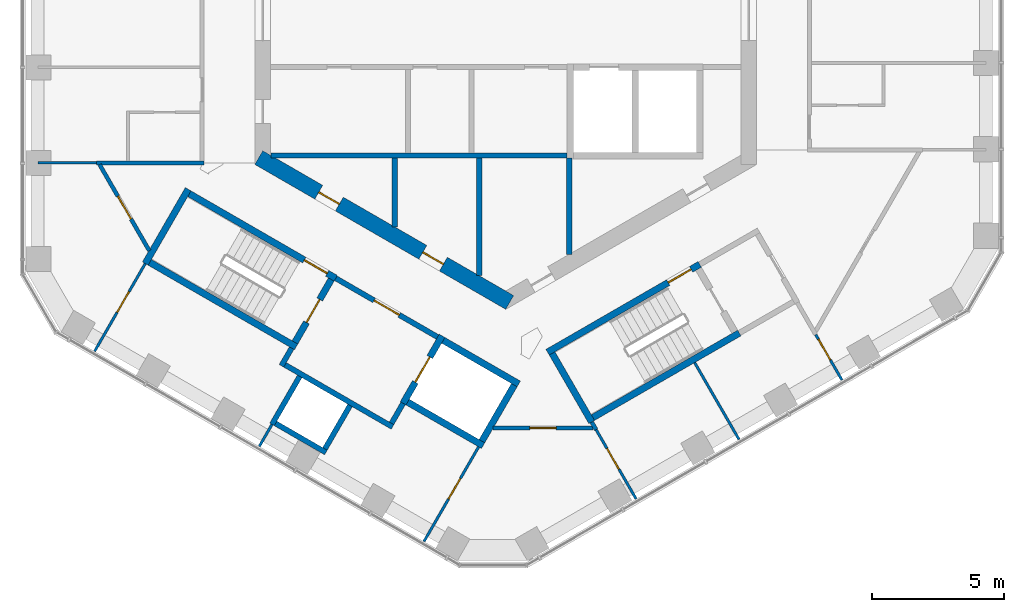
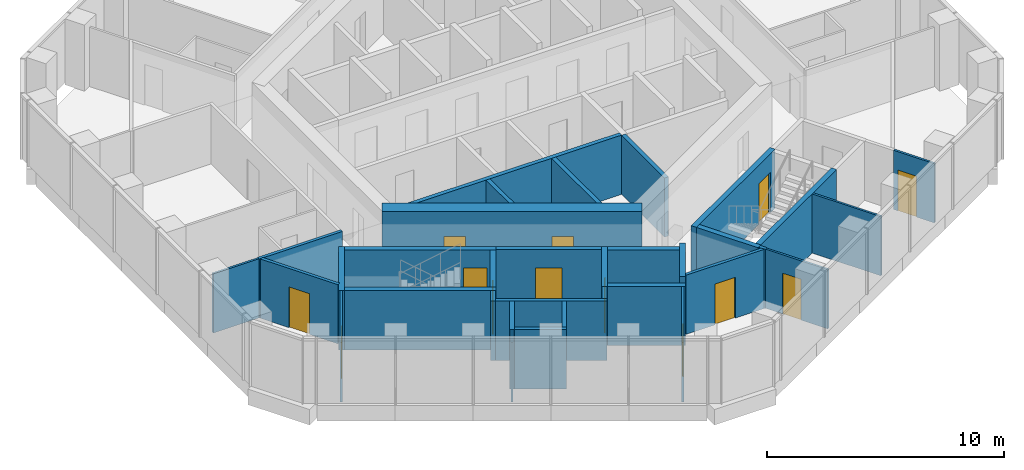
# One storey, part 13 of 18: 34 walls, 13 doors, 13 openings.
"""IFC4 building model written with IfcOpenShell, lengths in metres."""

import ifcopenshell
import ifcopenshell.guid

model = None  # the IFC model being written
_history = None  # IfcOwnerHistory: only IFC2X3 demands one
_inside = {}  # id of a spatial element -> (the spatial element, [elements in it])
_under = {}  # id of a project, library or spatial element -> (it, [spatial elements below it])
_declared = {}  # id of a project -> (the project, [libraries it declares])
_typed = {}  # id of a type object -> (the type object, [elements of that type])
_made_of = {}  # id of a material, layer set ... -> (it, [elements and type objects made of it])


def new_model(schema):
    """Start an empty IFC model of exactly this schema.

    Asked for "IFC4X3", IfcOpenShell would pick the latest addendum, in which some entities
    have other attributes; the version numbers below select the first issue.
    IFC2X3 requires an IfcOwnerHistory on every rooted entity: one is made here for all.
    """
    global model, _history
    if schema == "IFC4X3":
        model = ifcopenshell.file(schema_version=(4, 3, 0, 0))
    else:
        model = ifcopenshell.file(schema=schema)
    _inside.clear()
    _under.clear()
    _declared.clear()
    _typed.clear()
    _made_of.clear()
    _history = None
    if model.schema == "IFC2X3":
        org = make("IfcOrganization", Name="unknown")
        user = make(
            "IfcPersonAndOrganization",
            ThePerson=make("IfcPerson", FamilyName="unknown"),
            TheOrganization=org,
        )
        app = make(
            "IfcApplication",
            ApplicationDeveloper=org,
            Version="unknown",
            ApplicationFullName="unknown",
            ApplicationIdentifier="unknown",
        )
        _history = make(
            "IfcOwnerHistory",
            OwningUser=user,
            OwningApplication=app,
            ChangeAction="ADDED",
            CreationDate=0,
        )
    return model


def make(cls, **values):
    """One entity of the class cls with the attributes given. An attribute that is None is left unset."""
    return model.create_entity(
        cls, **{name: value for name, value in values.items() if value is not None}
    )


def rooted(cls, **values):
    """An entity with a GlobalId (a new one), such as an element, a storey or a relation."""
    return make(cls, GlobalId=ifcopenshell.guid.new(), OwnerHistory=_history, **values)


def si_unit(unit_type, name, prefix=None):
    """IfcSIUnit, for example si_unit("LENGTHUNIT", "METRE", prefix="MILLI")."""
    return make("IfcSIUnit", UnitType=unit_type, Prefix=prefix, Name=name)


def assignment(units):
    """IfcUnitAssignment: the units of a project."""
    return None if units is None else make("IfcUnitAssignment", Units=units)


def point(xyz):
    """IfcCartesianPoint."""
    return None if xyz is None else make("IfcCartesianPoint", Coordinates=xyz)


def direction(xyz):
    """IfcDirection."""
    return None if xyz is None else make("IfcDirection", DirectionRatios=xyz)


def frame(location, z_axis=None, x_axis=None):
    """IfcAxis2Placement3D, a coordinate frame: its origin and axes. An axis left out is left unset."""
    return make(
        "IfcAxis2Placement3D",
        Location=point(location),
        Axis=direction(z_axis),
        RefDirection=direction(x_axis),
    )


def frame_2d(location, x_axis=None):
    """IfcAxis2Placement2D, a coordinate frame in the plane: its origin and x axis."""
    return make(
        "IfcAxis2Placement2D", Location=point(location), RefDirection=direction(x_axis)
    )


def origin():
    """The frame at (0, 0, 0) with its axes left unset."""
    return frame((0.0, 0.0, 0.0))


def place(relative_to, where):
    """IfcLocalPlacement: puts the frame where relative to a parent placement (None: the world)."""
    return make(
        "IfcLocalPlacement", PlacementRelTo=relative_to, RelativePlacement=where
    )


def context(
    kind, dimensions, precision=None, world=None, true_north=None, identifier=None
):
    """IfcGeometricRepresentationContext, for example the 3D "Model" context."""
    return make(
        "IfcGeometricRepresentationContext",
        ContextIdentifier=identifier,
        ContextType=kind,
        CoordinateSpaceDimension=dimensions,
        Precision=precision,
        WorldCoordinateSystem=world,
        TrueNorth=true_north,
    )


def subcontext(parent, identifier, kind, view, scale=None):
    """IfcGeometricRepresentationSubContext, for example "Body" below "Model"."""
    return make(
        "IfcGeometricRepresentationSubContext",
        ContextIdentifier=identifier,
        ContextType=kind,
        ParentContext=parent,
        TargetScale=scale,
        TargetView=view,
    )


def project(units=None, contexts=None):
    """IfcProject with its units and contexts."""
    return rooted(
        "IfcProject",
        Name="project",
        RepresentationContexts=contexts,
        UnitsInContext=assignment(units),
    )


def spatial(cls, under=None, at=None, **own):
    """A site, building, storey or space (cls), placed at a placement, below another one or the project."""
    s = rooted(cls, ObjectPlacement=at, **own)
    if under is not None:
        _under.setdefault(under.id(), (under, []))[1].append(s)
    return s


def profile(cls, at=None, kind="AREA", **sizes):
    """A parametric profile (cls). Its sizes go by their IFC names, for example OverallWidth=200.0."""
    return make(cls, ProfileType=kind, Position=at, **sizes)


def rectangle(**sizes):
    """IfcRectangleProfileDef."""
    return profile("IfcRectangleProfileDef", **sizes)


def extrude(swept, where, along, depth):
    """IfcExtrudedAreaSolid: the profile swept, set in the frame where, extruded along a direction by depth."""
    return make(
        "IfcExtrudedAreaSolid",
        SweptArea=swept,
        Position=where,
        ExtrudedDirection=direction(along),
        Depth=depth,
    )


def shape(context_of_items, identifier, shape_type, items):
    """IfcShapeRepresentation: the items that make up one representation, for example the "Body"."""
    return make(
        "IfcShapeRepresentation",
        ContextOfItems=context_of_items,
        RepresentationIdentifier=identifier,
        RepresentationType=shape_type,
        Items=items,
    )


def material(Name=None, Category=None):
    """IfcMaterial."""
    return make("IfcMaterial", Name=Name, Category=Category)


def layer(
    of_material, thickness, ventilated=None, Name=None, Category=None, Priority=None
):
    """IfcMaterialLayer: one layer of a wall or slab, of a material (None: an air gap)."""
    return make(
        "IfcMaterialLayer",
        Material=of_material,
        LayerThickness=thickness,
        IsVentilated=ventilated,
        Name=Name,
        Category=Category,
        Priority=Priority,
    )


def layer_set(layers, Name=None):
    """IfcMaterialLayerSet."""
    return make("IfcMaterialLayerSet", MaterialLayers=layers, LayerSetName=Name)


def made_of(thing, what):
    """Note that an element or type object is made of a material, layer set ...; save() writes the relation."""
    if what is not None:
        _made_of.setdefault(what.id(), (what, []))[1].append(thing)
    return thing


def type_object(cls, material=None, **own):
    """A type object (cls), such as IfcWallType, which elements share."""
    return made_of(rooted(cls, **own), material)


def element(
    cls,
    number,
    at=None,
    inside=None,
    cuts=None,
    type_object=None,
    material=None,
    context=None,
    identifier="Body",
    shape_type=None,
    held_by="IfcProductDefinitionShape",
    body=None,
    shapes=None,
    **own,
):
    """One element of the class cls, such as IfcWall. Its Tag is "e" and its number.

    at: its placement. inside: the storey or other place that contains it. cuts: it is an
    opening in that element (IfcRelVoidsElement). A single representation is given by context,
    identifier, shape_type and body (its items); several are given by shapes. held_by: the class
    of the entity that holds the representations. save() writes the other relations.
    """
    e = rooted(cls, Tag="e%d" % number, ObjectPlacement=at, **own)
    if body is not None:
        shapes = [shape(context, identifier, shape_type, body)]
    if shapes is not None:
        e.Representation = make(held_by, Representations=shapes)
    if inside is not None:
        _inside.setdefault(inside.id(), (inside, []))[1].append(e)
    if cuts is not None:
        rooted(
            "IfcRelVoidsElement", RelatingBuildingElement=cuts, RelatedOpeningElement=e
        )
    if type_object is not None:
        _typed.setdefault(type_object.id(), (type_object, []))[1].append(e)
    return made_of(e, material)


def fill(opening, filler):
    """IfcRelFillsElement: the door or window that sits in an opening."""
    return rooted(
        "IfcRelFillsElement",
        RelatingOpeningElement=opening,
        RelatedBuildingElement=filler,
    )


def aggregate(whole, parts):
    """IfcRelAggregates: a whole, such as a stair, and the parts it consists of."""
    return rooted("IfcRelAggregates", RelatingObject=whole, RelatedObjects=parts)


def save(model, path):
    """Write the relations noted so far, then the file.

    IfcRelAggregates (storeys below a building ...), IfcRelContainedInSpatialStructure (elements
    in a storey), IfcRelDefinesByType, IfcRelAssociatesMaterial and IfcRelDeclares: one each for
    every whole, place, type object, material and project.
    """
    for whole, parts in _under.values():
        aggregate(whole, parts)
    for where, things in _inside.values():
        rooted(
            "IfcRelContainedInSpatialStructure",
            RelatedElements=things,
            RelatingStructure=where,
        )
    for kind, things in _typed.values():
        rooted("IfcRelDefinesByType", RelatedObjects=things, RelatingType=kind)
    for what, things in _made_of.values():
        rooted("IfcRelAssociatesMaterial", RelatedObjects=things, RelatingMaterial=what)
    for by, libraries in _declared.values():
        rooted("IfcRelDeclares", RelatingContext=by, RelatedDefinitions=libraries)
    model.write(path)


model = new_model("IFC4")

# Units and contexts
model_context = context("Model", 3, precision=1e-05, world=origin(), true_north=direction((0.0, 1.0)))
body_context = subcontext(model_context, "Body", "Model", "MODEL_VIEW")
ifc_project = project(units=[si_unit("LENGTHUNIT", "METRE"), si_unit("AREAUNIT", "SQUARE_METRE"), si_unit("VOLUMEUNIT", "CUBIC_METRE"), si_unit("PLANEANGLEUNIT", "RADIAN"), si_unit("MASSUNIT", "GRAM", prefix="KILO")], contexts=[model_context])

# Site, building, storey
site_placement = place(None, origin())
site = spatial("IfcSite", under=ifc_project, at=site_placement, CompositionType="ELEMENT")
building_placement = place(site_placement, origin())
building = spatial("IfcBuilding", under=site, at=building_placement, Name="Ayvan Gate Tower", CompositionType="ELEMENT")
storey_placement = place(building_placement, frame((0.0, 0.0, 179.89990234375)))
storey = spatial("IfcBuildingStorey", under=building, at=storey_placement, Name="L48", CompositionType="ELEMENT", Elevation=179.89990234375)

# Wall, openings, doors
ifc_material_1 = material(Name="Concrete C60/75", Category="concrete")
ifc_layer_1 = layer(ifc_material_1, 0.60009765625)
ifc_layer_set_1 = layer_set([ifc_layer_1], Name="Concrete C60/75")
wall_type_1 = type_object("IfcWallType", Name="Core wall 600 C60/75", PredefinedType="SHEAR", material=ifc_layer_set_1)
wall_1_placement = place(storey_placement, frame((-9.35009765625, -5.22509765625, 0.0), z_axis=(0.0, 0.0, 1.0), x_axis=(0.866023993627, -0.500002442456, 0.0)))
wall_1 = element("IfcWall", 1, at=wall_1_placement, inside=storey, type_object=wall_type_1, Name="CORE-L48-4", PredefinedType="SHEAR", context=body_context, shape_type="SweptSolid", body=[
    extrude(rectangle(XDim=10.9697265625, YDim=0.60009765625, at=frame_2d((5.48486328125, 0.0))), origin(), (0.0, 0.0, 1.0), 3.400146484375),
])
opening_1_placement = place(wall_1_placement, frame((2.6220703125, 0.0, 0.0)))
opening_1 = element("IfcOpeningElement", 2, at=opening_1_placement, cuts=wall_1, Name="Opening L48-D46", PredefinedType="OPENING", context=body_context, shape_type="SweptSolid", body=[
    extrude(rectangle(XDim=0.89990234375, YDim=2.10009765625, at=frame_2d((0.449951171875, 1.050048828125))), frame((0.0, 0.31005859375, 0.0), z_axis=(0.0, -1.0, 0.0), x_axis=(1.0, 0.0, 0.0)), (0.0, 0.0, 1.0), 0.6201171875),
])
opening_2_placement = place(wall_1_placement, frame((7.171630859375, 0.0, 0.0)))
opening_2 = element("IfcOpeningElement", 3, at=opening_2_placement, cuts=wall_1, Name="Opening L48-D47", PredefinedType="OPENING", context=body_context, shape_type="SweptSolid", body=[
    extrude(rectangle(XDim=0.89990234375, YDim=2.10009765625, at=frame_2d((0.449951171875, 1.050048828125))), frame((0.0, 0.31005859375, 0.0), z_axis=(0.0, -1.0, 0.0), x_axis=(1.0, 0.0, 0.0)), (0.0, 0.0, 1.0), 0.6201171875),
])
ifc_material_2 = material(Name="Timber door leaf", Category="wood")
door_type_1 = type_object("IfcDoorType", Name="DT-900", OperationType="NOTDEFINED", PredefinedType="DOOR", material=ifc_material_2)
door_1_placement = place(opening_1_placement, origin())
door_1 = element("IfcDoor", 4, at=door_1_placement, inside=storey, type_object=door_type_1, Name="CD-L48-46", OperationType="SINGLE_SWING_RIGHT", OverallHeight=2.10009765625, OverallWidth=0.89990234375, PredefinedType="DOOR", context=body_context, shape_type="SweptSolid", body=[
    extrude(rectangle(XDim=0.89990234375, YDim=2.10009765625, at=frame_2d((0.449951171875, 1.050048828125))), frame((0.0, 0.02490234375, 0.0), z_axis=(0.0, -1.0, 0.0), x_axis=(1.0, 0.0, 0.0)), (0.0, 0.0, 1.0), 0.050048828125),
])
fill(opening_1, door_1)
door_2_placement = place(opening_2_placement, origin())
door_2 = element("IfcDoor", 5, at=door_2_placement, inside=storey, type_object=door_type_1, Name="CD-L48-47", OperationType="SINGLE_SWING_LEFT", OverallHeight=2.10009765625, OverallWidth=0.89990234375, PredefinedType="DOOR", context=body_context, shape_type="SweptSolid", body=[
    extrude(rectangle(XDim=0.89990234375, YDim=2.10009765625, at=frame_2d((0.449951171875, 1.050048828125))), frame((0.0, 0.02490234375, 0.0), z_axis=(0.0, -1.0, 0.0), x_axis=(1.0, 0.0, 0.0)), (0.0, 0.0, 1.0), 0.050048828125),
])
fill(opening_2, door_2)

# Wall
ifc_material_3 = material(Name="Plasterboard on steel stud", Category="steel")
ifc_layer_2 = layer(ifc_material_3, 0.14990234375)
ifc_layer_set_2 = layer_set([ifc_layer_2], Name="Plasterboard on steel stud")
wall_type_2 = type_object("IfcWallType", Name="WT-CORR-150", PredefinedType="PARTITIONING", material=ifc_layer_set_2)
wall_2_placement = place(storey_placement, frame((-15.4892578125, -5.42529296875, 0.0), z_axis=(0.0, 0.0, 1.0), x_axis=(1.0, 0.0, 0.0)))
element("IfcWall", 6, at=wall_2_placement, inside=storey, type_object=wall_type_2, Name="IW-L48-002", PredefinedType="PARTITIONING", context=body_context, shape_type="SweptSolid", body=[
    extrude(rectangle(XDim=4.064453125, YDim=0.14990234375, at=frame_2d((2.0322265625, 0.0))), origin(), (0.0, 0.0, 1.0), 3.050048828125),
])

# Wall, opening, door
wall_3_placement = place(storey_placement, frame((-13.49267578125, -8.75341796875, 0.0), z_axis=(0.0, 0.0, 1.0), x_axis=(-0.500006623535, 0.866021579651, 0.0)))
wall_3 = element("IfcWall", 7, at=wall_3_placement, inside=storey, type_object=wall_type_2, Name="IW-L48-007", PredefinedType="PARTITIONING", context=body_context, shape_type="SweptSolid", body=[
    extrude(rectangle(XDim=3.76806640625, YDim=0.14990234375, at=frame_2d((1.884033203125, 0.0))), origin(), (0.0, 0.0, 1.0), 3.050048828125),
])
opening_3_placement = place(wall_3_placement, frame((1.384033203125, 0.0, 0.0)))
opening_3 = element("IfcOpeningElement", 8, at=opening_3_placement, cuts=wall_3, Name="Opening L48-D32", PredefinedType="OPENING", context=body_context, shape_type="SweptSolid", body=[
    extrude(rectangle(XDim=1.0, YDim=2.10009765625, at=frame_2d((0.5, 1.050048828125))), frame((0.0, 0.0849609375, 0.0), z_axis=(0.0, -1.0, 0.0), x_axis=(1.0, 0.0, 0.0)), (0.0, 0.0, 1.0), 0.169921875),
])
door_type_2 = type_object("IfcDoorType", Name="DT-1000", OperationType="NOTDEFINED", PredefinedType="DOOR", material=ifc_material_2)
door_3_placement = place(opening_3_placement, origin())
door_3 = element("IfcDoor", 9, at=door_3_placement, inside=storey, type_object=door_type_2, Name="ID-L48-032", OperationType="SINGLE_SWING_RIGHT", OverallHeight=2.10009765625, OverallWidth=1.0, PredefinedType="DOOR", context=body_context, shape_type="SweptSolid", body=[
    extrude(rectangle(XDim=1.0, YDim=2.10009765625, at=frame_2d((0.5, 1.050048828125))), frame((0.0, 0.02490234375, 0.0), z_axis=(0.0, -1.0, 0.0), x_axis=(1.0, 0.0, 0.0)), (0.0, 0.0, 1.0), 0.050048828125),
])
fill(opening_3, door_3)

# Wall
wall_4_placement = place(storey_placement, frame((3.255615234375, -15.23876953125, 0.0), z_axis=(0.0, 0.0, 1.0), x_axis=(0.500167465571, -0.865928695901, 0.0)))
element("IfcWall", 10, at=wall_4_placement, inside=storey, type_object=wall_type_2, Name="IW-L48-061", PredefinedType="PARTITIONING", context=body_context, shape_type="SweptSolid", body=[
    extrude(rectangle(XDim=0.33251953125, YDim=0.14990234375, at=frame_2d((0.166259765625, 0.0))), origin(), (0.0, 0.0, 1.0), 3.050048828125),
])

# Wall, opening, door
wall_5_placement = place(storey_placement, frame((3.309326171875, -15.4619140625, 0.0), z_axis=(0.0, 0.0, 1.0), x_axis=(-1.0, 0.0, 0.0)))
wall_5 = element("IfcWall", 11, at=wall_5_placement, inside=storey, type_object=wall_type_2, Name="IW-L48-064", PredefinedType="PARTITIONING", context=body_context, shape_type="SweptSolid", body=[
    extrude(rectangle(XDim=3.79736328125, YDim=0.14990234375, at=frame_2d((1.898681640625, 0.0))), origin(), (0.0, 0.0, 1.0), 3.050048828125),
])
opening_4_placement = place(wall_5_placement, frame((1.398681640625, 0.0, 0.0)))
opening_4 = element("IfcOpeningElement", 12, at=opening_4_placement, cuts=wall_5, Name="Opening L48-D34", PredefinedType="OPENING", context=body_context, shape_type="SweptSolid", body=[
    extrude(rectangle(XDim=1.0, YDim=2.10009765625, at=frame_2d((0.5, 1.050048828125))), frame((0.0, 0.0849609375, 0.0), z_axis=(0.0, -1.0, 0.0), x_axis=(1.0, 0.0, 0.0)), (0.0, 0.0, 1.0), 0.169921875),
])
door_4_placement = place(opening_4_placement, origin())
door_4 = element("IfcDoor", 13, at=door_4_placement, inside=storey, type_object=door_type_2, Name="ID-L48-034", OperationType="SINGLE_SWING_RIGHT", OverallHeight=2.10009765625, OverallWidth=1.0, PredefinedType="DOOR", context=body_context, shape_type="SweptSolid", body=[
    extrude(rectangle(XDim=1.0, YDim=2.10009765625, at=frame_2d((0.5, 1.050048828125))), frame((0.0, 0.02490234375, 0.0), z_axis=(0.0, -1.0, 0.0), x_axis=(1.0, 0.0, 0.0)), (0.0, 0.0, 1.0), 0.050048828125),
])
fill(opening_4, door_4)

# Wall
ifc_layer_3 = layer(ifc_material_3, 0.10009765625)
ifc_layer_set_3 = layer_set([ifc_layer_3], Name="Plasterboard on steel stud")
wall_type_3 = type_object("IfcWallType", Name="WT-PART-100", PredefinedType="PARTITIONING", material=ifc_layer_set_3)
wall_6_placement = place(storey_placement, frame((-15.4892578125, -5.42529296875, 0.0), z_axis=(0.0, 0.0, 1.0), x_axis=(-1.0, 0.0, 0.0)))
element("IfcWall", 14, at=wall_6_placement, inside=storey, type_object=wall_type_3, Name="IW-L48-003", PredefinedType="PARTITIONING", context=body_context, shape_type="SweptSolid", body=[
    extrude(rectangle(XDim=2.22265625, YDim=0.10009765625, at=frame_2d((1.111328125, 0.0))), origin(), (0.0, 0.0, 1.0), 3.050048828125),
])

# Wall, opening, door
wall_7_placement = place(storey_placement, frame((-13.647705078125, -9.23876953125, 0.0), z_axis=(0.0, 0.0, 1.0), x_axis=(-0.500044099915, -0.86599994119, 0.0)))
wall_7 = element("IfcWall", 15, at=wall_7_placement, inside=storey, type_object=wall_type_3, Name="IW-L48-006", PredefinedType="PARTITIONING", context=body_context, shape_type="SweptSolid", body=[
    extrude(rectangle(XDim=3.832763671875, YDim=0.10009765625, at=frame_2d((1.91650390625, 0.0))), origin(), (0.0, 0.0, 1.0), 3.050048828125),
])
opening_5_placement = place(wall_7_placement, frame((1.230712890625, 0.0, 0.0)))
opening_5 = element("IfcOpeningElement", 16, at=opening_5_placement, cuts=wall_7, Name="Opening L48-D33", PredefinedType="OPENING", context=body_context, shape_type="SweptSolid", body=[
    extrude(rectangle(XDim=0.89990234375, YDim=2.10009765625, at=frame_2d((0.449951171875, 1.050048828125))), frame((0.0, 0.06005859375, 0.0), z_axis=(0.0, -1.0, 0.0), x_axis=(1.0, 0.0, 0.0)), (0.0, 0.0, 1.0), 0.1201171875),
])
door_5_placement = place(opening_5_placement, origin())
door_5 = element("IfcDoor", 17, at=door_5_placement, inside=storey, type_object=door_type_1, Name="ID-L48-033", OperationType="SINGLE_SWING_LEFT", OverallHeight=2.10009765625, OverallWidth=0.89990234375, PredefinedType="DOOR", context=body_context, shape_type="SweptSolid", body=[
    extrude(rectangle(XDim=0.89990234375, YDim=2.10009765625, at=frame_2d((0.449951171875, 1.050048828125))), frame((0.0, 0.02490234375, 0.0), z_axis=(0.0, -1.0, 0.0), x_axis=(1.0, 0.0, 0.0)), (0.0, 0.0, 1.0), 0.050048828125),
])
fill(opening_5, door_5)

# Wall
wall_8_placement = place(storey_placement, frame((-9.328857421875, -16.157958984375, 0.0), z_axis=(0.0, 0.0, 1.0), x_axis=(0.499950501706, 0.866053979752, 0.0)))
element("IfcWall", 18, at=wall_8_placement, inside=storey, type_object=wall_type_3, Name="IW-L48-023", PredefinedType="PARTITIONING", context=body_context, shape_type="SweptSolid", body=[
    extrude(rectangle(XDim=0.95751953125, YDim=0.10009765625, at=frame_2d((0.478759765625, 0.0))), origin(), (0.0, 0.0, 1.0), 3.050048828125),
])

# Wall, opening, door
wall_9_placement = place(storey_placement, frame((-3.093505859375, -19.7578125, 0.0), z_axis=(0.0, 0.0, 1.0), x_axis=(0.500027577057, 0.866009481578, 0.0)))
wall_9 = element("IfcWall", 19, at=wall_9_placement, inside=storey, type_object=wall_type_3, Name="IW-L48-041", PredefinedType="PARTITIONING", context=body_context, shape_type="SweptSolid", body=[
    extrude(rectangle(XDim=4.132568359375, YDim=0.10009765625, at=frame_2d((2.06640625, 0.0))), origin(), (0.0, 0.0, 1.0), 3.050048828125),
])
opening_6_placement = place(wall_9_placement, frame((1.851806640625, 0.0, 0.0)))
opening_6 = element("IfcOpeningElement", 20, at=opening_6_placement, cuts=wall_9, Name="Opening L48-D35", PredefinedType="OPENING", context=body_context, shape_type="SweptSolid", body=[
    extrude(rectangle(XDim=0.89990234375, YDim=2.10009765625, at=frame_2d((0.449951171875, 1.050048828125))), frame((0.0, 0.06005859375, 0.0), z_axis=(0.0, -1.0, 0.0), x_axis=(1.0, 0.0, 0.0)), (0.0, 0.0, 1.0), 0.1201171875),
])
door_6_placement = place(opening_6_placement, origin())
door_6 = element("IfcDoor", 21, at=door_6_placement, inside=storey, type_object=door_type_1, Name="ID-L48-035", OperationType="SINGLE_SWING_LEFT", OverallHeight=2.10009765625, OverallWidth=0.89990234375, PredefinedType="DOOR", context=body_context, shape_type="SweptSolid", body=[
    extrude(rectangle(XDim=0.89990234375, YDim=2.10009765625, at=frame_2d((0.449951171875, 1.050048828125))), frame((0.0, 0.02490234375, 0.0), z_axis=(0.0, -1.0, 0.0), x_axis=(1.0, 0.0, 0.0)), (0.0, 0.0, 1.0), 0.050048828125),
])
fill(opening_6, door_6)

wall_10_placement = place(storey_placement, frame((3.421875, -15.526611328125, 0.0), z_axis=(0.0, 0.0, 1.0), x_axis=(0.49999255039, -0.866029704776, 0.0)))
wall_10 = element("IfcWall", 22, at=wall_10_placement, inside=storey, type_object=wall_type_3, Name="IW-L48-065", PredefinedType="PARTITIONING", context=body_context, shape_type="SweptSolid", body=[
    extrude(rectangle(XDim=3.025390625, YDim=0.10009765625, at=frame_2d((1.5126953125, 0.0))), origin(), (0.0, 0.0, 1.0), 3.050048828125),
])
opening_7_placement = place(wall_10_placement, frame((0.8271484375, 0.0, 0.0)))
opening_7 = element("IfcOpeningElement", 23, at=opening_7_placement, cuts=wall_10, Name="Opening L48-D36", PredefinedType="OPENING", context=body_context, shape_type="SweptSolid", body=[
    extrude(rectangle(XDim=0.89990234375, YDim=2.10009765625, at=frame_2d((0.449951171875, 1.050048828125))), frame((0.0, 0.06005859375, 0.0), z_axis=(0.0, -1.0, 0.0), x_axis=(1.0, 0.0, 0.0)), (0.0, 0.0, 1.0), 0.1201171875),
])
door_7_placement = place(opening_7_placement, origin())
door_7 = element("IfcDoor", 24, at=door_7_placement, inside=storey, type_object=door_type_1, Name="ID-L48-036", OperationType="SINGLE_SWING_RIGHT", OverallHeight=2.10009765625, OverallWidth=0.89990234375, PredefinedType="DOOR", context=body_context, shape_type="SweptSolid", body=[
    extrude(rectangle(XDim=0.89990234375, YDim=2.10009765625, at=frame_2d((0.449951171875, 1.050048828125))), frame((0.0, 0.02490234375, 0.0), z_axis=(0.0, -1.0, 0.0), x_axis=(1.0, 0.0, 0.0)), (0.0, 0.0, 1.0), 0.050048828125),
])
fill(opening_7, door_7)

# Wall
wall_11_placement = place(storey_placement, frame((7.152587890625, -12.98876953125, 0.0), z_axis=(0.0, 0.0, 1.0), x_axis=(0.500009866947, -0.866019707025, 0.0)))
element("IfcWall", 25, at=wall_11_placement, inside=storey, type_object=wall_type_3, Name="IW-L48-074", PredefinedType="PARTITIONING", context=body_context, shape_type="SweptSolid", body=[
    extrude(rectangle(XDim=3.35791015625, YDim=0.10009765625, at=frame_2d((1.678955078125, 0.0))), origin(), (0.0, 0.0, 1.0), 3.050048828125),
])

# Wall, opening, door
wall_12_placement = place(storey_placement, frame((12.728759765625, -13.646728515625, 0.0), z_axis=(0.0, 0.0, 1.0), x_axis=(-0.50005230485, 0.865995203459, 0.0)))
wall_12 = element("IfcWall", 26, at=wall_12_placement, inside=storey, type_object=wall_type_3, Name="IW-L48-093", PredefinedType="PARTITIONING", context=body_context, shape_type="SweptSolid", body=[
    extrude(rectangle(XDim=1.986083984375, YDim=0.10009765625, at=frame_2d((0.9931640625, 0.0))), origin(), (0.0, 0.0, 1.0), 3.050048828125),
])
opening_8_placement = place(wall_12_placement, frame((0.87841796875, 0.0, 0.0)))
opening_8 = element("IfcOpeningElement", 27, at=opening_8_placement, cuts=wall_12, Name="Opening L48-D38", PredefinedType="OPENING", context=body_context, shape_type="SweptSolid", body=[
    extrude(rectangle(XDim=0.89990234375, YDim=2.10009765625, at=frame_2d((0.449951171875, 1.050048828125))), frame((0.0, 0.06005859375, 0.0), z_axis=(0.0, -1.0, 0.0), x_axis=(1.0, 0.0, 0.0)), (0.0, 0.0, 1.0), 0.1201171875),
])
door_8_placement = place(opening_8_placement, origin())
door_8 = element("IfcDoor", 28, at=door_8_placement, inside=storey, type_object=door_type_1, Name="ID-L48-038", OperationType="SINGLE_SWING_RIGHT", OverallHeight=2.10009765625, OverallWidth=0.89990234375, PredefinedType="DOOR", context=body_context, shape_type="SweptSolid", body=[
    extrude(rectangle(XDim=0.89990234375, YDim=2.10009765625, at=frame_2d((0.449951171875, 1.050048828125))), frame((0.0, 0.02490234375, 0.0), z_axis=(0.0, -1.0, 0.0), x_axis=(1.0, 0.0, 0.0)), (0.0, 0.0, 1.0), 0.050048828125),
])
fill(opening_8, door_8)

# Walls
ifc_layer_4 = layer(ifc_material_3, 0.199951171875)
ifc_layer_set_4 = layer_set([ifc_layer_4], Name="Plasterboard on steel stud")
wall_type_4 = type_object("IfcWallType", Name="WT-PLUMB-200", PredefinedType="PLUMBINGWALL", material=ifc_layer_set_4)
wall_13_placement = place(storey_placement, frame((-8.85009765625, -15.32861328125, 0.0), z_axis=(0.0, 0.0, 1.0), x_axis=(0.500027713859, 0.866009402589, 0.0)))
element("IfcWall", 29, at=wall_13_placement, inside=storey, type_object=wall_type_4, Name="IW-L48-019", PredefinedType="PLUMBINGWALL", context=body_context, shape_type="SweptSolid", body=[
    extrude(rectangle(XDim=2.10009765625, YDim=0.199951171875, at=frame_2d((1.050048828125, 0.0))), origin(), (0.0, 0.0, 1.0), 3.050048828125),
])
wall_14_placement = place(storey_placement, frame((-6.80810546875, -16.39208984375, 0.0), z_axis=(0.0, 0.0, 1.0), x_axis=(-0.866008176907, 0.50002983664, 0.0)))
element("IfcWall", 30, at=wall_14_placement, inside=storey, type_object=wall_type_4, Name="IW-L48-028", PredefinedType="PLUMBINGWALL", context=body_context, shape_type="SweptSolid", body=[
    extrude(rectangle(XDim=2.199951171875, YDim=0.199951171875, at=frame_2d((1.10009765625, 0.0))), origin(), (0.0, 0.0, 1.0), 3.050048828125),
])
wall_15_placement = place(storey_placement, frame((-5.894775390625, -14.610107421875, 0.0), z_axis=(0.0, 0.0, 1.0), x_axis=(-0.500022797313, -0.86601224135, 0.0)))
element("IfcWall", 31, at=wall_15_placement, inside=storey, type_object=wall_type_4, Name="IW-L48-032", PredefinedType="PLUMBINGWALL", context=body_context, shape_type="SweptSolid", body=[
    extrude(rectangle(XDim=1.89990234375, YDim=0.199951171875, at=frame_2d((0.949951171875, 0.0))), origin(), (0.0, 0.0, 1.0), 3.050048828125),
])
ifc_layer_5 = layer(ifc_material_3, 0.199951171875)
ifc_layer_set_5 = layer_set([ifc_layer_5], Name="Plasterboard on steel stud")
wall_type_5 = type_object("IfcWallType", Name="WT-RATED-200", PredefinedType="PARTITIONING", material=ifc_layer_set_5)
wall_16_placement = place(storey_placement, frame((-8.8798828125, -5.14990234375, 0.0), z_axis=(0.0, 0.0, 1.0), x_axis=(1.0, 0.0, 0.0)))
element("IfcWall", 32, at=wall_16_placement, inside=storey, type_object=wall_type_5, Name="IW-L48-018", PredefinedType="PARTITIONING", context=body_context, shape_type="SweptSolid", body=[
    extrude(rectangle(XDim=11.205078125, YDim=0.199951171875, at=frame_2d((5.6025390625, 0.0))), origin(), (0.0, 0.0, 1.0), 3.050048828125),
])
wall_17_placement = place(storey_placement, frame((-8.492919921875, -13.110107421875, 0.0), z_axis=(0.0, 0.0, 1.0), x_axis=(0.500067724834, 0.865986299303, 0.0)))
element("IfcWall", 33, at=wall_17_placement, inside=storey, type_object=wall_type_5, Name="IW-L48-020", PredefinedType="PARTITIONING", context=body_context, shape_type="SweptSolid", body=[
    extrude(rectangle(XDim=0.775390625, YDim=0.199951171875, at=frame_2d((0.3876953125, 0.0))), origin(), (0.0, 0.0, 1.0), 3.050048828125),
])
wall_18_placement = place(storey_placement, frame((-8.356201171875, -13.073486328125, 0.0), z_axis=(0.0, 0.0, 1.0), x_axis=(0.866038532462, -0.499977259774, 0.0)))
element("IfcWall", 34, at=wall_18_placement, inside=storey, type_object=wall_type_5, Name="IW-L48-024", PredefinedType="PARTITIONING", context=body_context, shape_type="SweptSolid", body=[
    extrude(rectangle(XDim=4.699951171875, YDim=0.199951171875, at=frame_2d((2.35009765625, 0.0))), origin(), (0.0, 0.0, 1.0), 3.050048828125),
])

# Wall, opening, door
wall_19_placement = place(storey_placement, frame((-6.4345703125, -9.794921875, 0.0), z_axis=(0.0, 0.0, 1.0), x_axis=(0.866012907634, -0.500021643343, 0.0)))
wall_19 = element("IfcWall", 35, at=wall_19_placement, inside=storey, type_object=wall_type_5, Name="IW-L48-031", PredefinedType="PARTITIONING", context=body_context, shape_type="SweptSolid", body=[
    extrude(rectangle(XDim=4.449951171875, YDim=0.199951171875, at=frame_2d((2.22509765625, 0.0))), origin(), (0.0, 0.0, 1.0), 3.050048828125),
])
opening_9_placement = place(wall_19_placement, frame((1.675048828125, 0.0, 0.0)))
opening_9 = element("IfcOpeningElement", 36, at=opening_9_placement, cuts=wall_19, Name="Opening L48-D17", PredefinedType="OPENING", context=body_context, shape_type="SweptSolid", body=[
    extrude(rectangle(XDim=1.10009765625, YDim=2.10009765625, at=frame_2d((0.550048828125, 1.050048828125))), frame((0.0, 0.10986328125, 0.0), z_axis=(0.0, -1.0, 0.0), x_axis=(1.0, 0.0, 0.0)), (0.0, 0.0, 1.0), 0.219970703125),
])
door_type_3 = type_object("IfcDoorType", Name="DT-1100", OperationType="NOTDEFINED", PredefinedType="DOOR", material=ifc_material_2)
door_9_placement = place(opening_9_placement, origin())
door_9 = element("IfcDoor", 37, at=door_9_placement, inside=storey, type_object=door_type_3, Name="ID-L48-017", OperationType="SINGLE_SWING_LEFT", OverallHeight=2.10009765625, OverallWidth=1.10009765625, PredefinedType="DOOR", context=body_context, shape_type="SweptSolid", body=[
    extrude(rectangle(XDim=1.10009765625, YDim=2.10009765625, at=frame_2d((0.550048828125, 1.050048828125))), frame((0.0, 0.02490234375, 0.0), z_axis=(0.0, -1.0, 0.0), x_axis=(1.0, 0.0, 0.0)), (0.0, 0.0, 1.0), 0.050048828125),
])
fill(opening_9, door_9)

# Walls
wall_20_placement = place(storey_placement, frame((-4.199951171875, -5.25, 0.0), z_axis=(0.0, 0.0, 1.0), x_axis=(0.0, -1.0, 0.0)))
element("IfcWall", 38, at=wall_20_placement, inside=storey, type_object=wall_type_5, Name="IW-L48-034", PredefinedType="PARTITIONING", context=body_context, shape_type="SweptSolid", body=[
    extrude(rectangle(XDim=2.60205078125, YDim=0.199951171875, at=frame_2d((1.301025390625, 0.0))), origin(), (0.0, 0.0, 1.0), 3.050048828125),
])
wall_21_placement = place(storey_placement, frame((-3.885009765625, -14.52880859375, 0.0), z_axis=(0.0, 0.0, 1.0), x_axis=(-0.499859285417, -0.866106630146, 0.0)))
element("IfcWall", 39, at=wall_21_placement, inside=storey, type_object=wall_type_5, Name="IW-L48-036", PredefinedType="PARTITIONING", context=body_context, shape_type="SweptSolid", body=[
    extrude(rectangle(XDim=0.875244140625, YDim=0.199951171875, at=frame_2d((0.4375, 0.0))), origin(), (0.0, 0.0, 1.0), 3.050048828125),
])
wall_22_placement = place(storey_placement, frame((-1.0, -5.25, 0.0), z_axis=(0.0, 0.0, 1.0), x_axis=(0.0, -1.0, 0.0)))
element("IfcWall", 40, at=wall_22_placement, inside=storey, type_object=wall_type_5, Name="IW-L48-048", PredefinedType="PARTITIONING", context=body_context, shape_type="SweptSolid", body=[
    extrude(rectangle(XDim=4.449462890625, YDim=0.199951171875, at=frame_2d((2.224609375, 0.0))), origin(), (0.0, 0.0, 1.0), 3.050048828125),
])
wall_23_placement = place(storey_placement, frame((2.39990234375, -5.25, 0.0), z_axis=(0.0, 0.0, 1.0), x_axis=(0.0, -1.0, 0.0)))
element("IfcWall", 41, at=wall_23_placement, inside=storey, type_object=wall_type_5, Name="IW-L48-056", PredefinedType="PARTITIONING", context=body_context, shape_type="SweptSolid", body=[
    extrude(rectangle(XDim=3.64111328125, YDim=0.199951171875, at=frame_2d((1.820556640625, 0.0))), origin(), (0.0, 0.0, 1.0), 3.050048828125),
])
ifc_material_4 = material(Name="Concrete C50/60", Category="concrete")
ifc_layer_6 = layer(ifc_material_4, 0.25)
ifc_layer_set_6 = layer_set([ifc_layer_6], Name="Concrete C50/60")
wall_type_6 = type_object("IfcWallType", Name="WT-RC-250", PredefinedType="SHEAR", material=ifc_layer_set_6)
wall_24_placement = place(storey_placement, frame((-13.64794921875, -9.23876953125, 0.0), z_axis=(0.0, 0.0, 1.0), x_axis=(0.500017246033, 0.866015446554, 0.0)))
element("IfcWall", 42, at=wall_24_placement, inside=storey, type_object=wall_type_6, Name="IW-L48-005", PredefinedType="SHEAR", context=body_context, shape_type="SweptSolid", body=[
    extrude(rectangle(XDim=3.25, YDim=0.25, at=frame_2d((1.625, 0.0))), origin(), (0.0, 0.0, 1.0), 3.050048828125),
])

# Wall, opening, door
wall_25_placement = place(storey_placement, frame((-11.97705078125, -6.594970703125, 0.0), z_axis=(0.0, 0.0, 1.0), x_axis=(0.866025499775, -0.499999833739, 0.0)))
wall_25 = element("IfcWall", 43, at=wall_25_placement, inside=storey, type_object=wall_type_6, Name="IW-L48-010", PredefinedType="SHEAR", context=body_context, shape_type="SweptSolid", body=[
    extrude(rectangle(XDim=6.39990234375, YDim=0.25, at=frame_2d((3.199951171875, 0.0))), origin(), (0.0, 0.0, 1.0), 3.050048828125),
])
opening_10_placement = place(wall_25_placement, frame((5.02490234375, 0.0, 0.0)))
opening_10 = element("IfcOpeningElement", 44, at=opening_10_placement, cuts=wall_25, Name="Opening L48-D15", PredefinedType="OPENING", context=body_context, shape_type="SweptSolid", body=[
    extrude(rectangle(XDim=1.0, YDim=2.10009765625, at=frame_2d((0.5, 1.050048828125))), frame((0.0, 0.135009765625, 0.0), z_axis=(0.0, -1.0, 0.0), x_axis=(1.0, 0.0, 0.0)), (0.0, 0.0, 1.0), 0.27001953125),
])
door_10_placement = place(opening_10_placement, origin())
door_10 = element("IfcDoor", 45, at=door_10_placement, inside=storey, type_object=door_type_2, Name="ID-L48-015", OperationType="SINGLE_SWING_LEFT", OverallHeight=2.10009765625, OverallWidth=1.0, PredefinedType="DOOR", context=body_context, shape_type="SweptSolid", body=[
    extrude(rectangle(XDim=1.0, YDim=2.10009765625, at=frame_2d((0.5, 1.050048828125))), frame((0.0, 0.02490234375, 0.0), z_axis=(0.0, -1.0, 0.0), x_axis=(1.0, 0.0, 0.0)), (0.0, 0.0, 1.0), 0.050048828125),
])
fill(opening_10, door_10)

# Wall
wall_26_placement = place(storey_placement, frame((-7.9345703125, -12.39306640625, 0.0), z_axis=(0.0, 0.0, 1.0), x_axis=(-0.866025499775, 0.499999833739, 0.0)))
element("IfcWall", 46, at=wall_26_placement, inside=storey, type_object=wall_type_6, Name="IW-L48-022", PredefinedType="SHEAR", context=body_context, shape_type="SweptSolid", body=[
    extrude(rectangle(XDim=6.39990234375, YDim=0.25, at=frame_2d((3.199951171875, 0.0))), origin(), (0.0, 0.0, 1.0), 3.050048828125),
])

# Wall, opening, door
wall_27_placement = place(storey_placement, frame((-6.605224609375, -9.8408203125, 0.0), z_axis=(0.0, 0.0, 1.0), x_axis=(-0.499996545922, -0.866027397988, 0.0)))
wall_27 = element("IfcWall", 47, at=wall_27_placement, inside=storey, type_object=wall_type_6, Name="IW-L48-030", PredefinedType="SHEAR", context=body_context, shape_type="SweptSolid", body=[
    extrude(rectangle(XDim=2.75, YDim=0.25, at=frame_2d((1.375, 0.0))), origin(), (0.0, 0.0, 1.0), 3.050048828125),
])
opening_11_placement = place(wall_27_placement, frame((0.875, 0.0, 0.0)))
opening_11 = element("IfcOpeningElement", 48, at=opening_11_placement, cuts=wall_27, Name="Opening L48-D16", PredefinedType="OPENING", context=body_context, shape_type="SweptSolid", body=[
    extrude(rectangle(XDim=1.0, YDim=2.10009765625, at=frame_2d((0.5, 1.050048828125))), frame((0.0, 0.135009765625, 0.0), z_axis=(0.0, -1.0, 0.0), x_axis=(1.0, 0.0, 0.0)), (0.0, 0.0, 1.0), 0.27001953125),
])
door_11_placement = place(opening_11_placement, origin())
door_11 = element("IfcDoor", 49, at=door_11_placement, inside=storey, type_object=door_type_2, Name="ID-L48-016", OperationType="SINGLE_SWING_RIGHT", OverallHeight=2.10009765625, OverallWidth=1.0, PredefinedType="DOOR", context=body_context, shape_type="SweptSolid", body=[
    extrude(rectangle(XDim=1.0, YDim=2.10009765625, at=frame_2d((0.5, 1.050048828125))), frame((0.0, 0.02490234375, 0.0), z_axis=(0.0, -1.0, 0.0), x_axis=(1.0, 0.0, 0.0)), (0.0, 0.0, 1.0), 0.050048828125),
])
fill(opening_11, door_11)

wall_28_placement = place(storey_placement, frame((-2.409912109375, -11.97412109375, 0.0), z_axis=(0.0, 0.0, 1.0), x_axis=(-0.500001826776, -0.866024349092, 0.0)))
wall_28 = element("IfcWall", 50, at=wall_28_placement, inside=storey, type_object=wall_type_6, Name="IW-L48-042", PredefinedType="SHEAR", context=body_context, shape_type="SweptSolid", body=[
    extrude(rectangle(XDim=2.9501953125, YDim=0.25, at=frame_2d((1.47509765625, 0.0))), origin(), (0.0, 0.0, 1.0), 3.050048828125),
])
opening_12_placement = place(wall_28_placement, frame((0.925048828125, 0.0, 0.0)))
opening_12 = element("IfcOpeningElement", 51, at=opening_12_placement, cuts=wall_28, Name="Opening L48-LD-FF2", PredefinedType="OPENING", context=body_context, shape_type="SweptSolid", body=[
    extrude(rectangle(XDim=1.10009765625, YDim=2.10009765625, at=frame_2d((0.550048828125, 1.050048828125))), frame((0.0, 0.135009765625, 0.0), z_axis=(0.0, -1.0, 0.0), x_axis=(1.0, 0.0, 0.0)), (0.0, 0.0, 1.0), 0.27001953125),
])
ifc_material_5 = material(Name="Stainless steel landing door", Category="steel")
door_type_4 = type_object("IfcDoorType", Name="DT-LANDING-1100", OperationType="SLIDING_TO_LEFT", PredefinedType="DOOR", material=ifc_material_5)
door_12_placement = place(opening_12_placement, origin())
door_12 = element("IfcDoor", 52, at=door_12_placement, inside=storey, type_object=door_type_4, Name="ID-L48-018", OperationType="SLIDING_TO_LEFT", OverallHeight=2.10009765625, OverallWidth=1.10009765625, PredefinedType="DOOR", context=body_context, shape_type="SweptSolid", body=[
    extrude(rectangle(XDim=1.10009765625, YDim=2.10009765625, at=frame_2d((0.550048828125, 1.050048828125))), frame((0.0, 0.02490234375, 0.0), z_axis=(0.0, -1.0, 0.0), x_axis=(1.0, 0.0, 0.0)), (0.0, 0.0, 1.0), 0.050048828125),
])
fill(opening_12, door_12)

# Walls
wall_29_placement = place(storey_placement, frame((-2.3642578125, -12.14501953125, 0.0), z_axis=(0.0, 0.0, 1.0), x_axis=(0.866040211805, -0.499974350878, 0.0)))
element("IfcWall", 53, at=wall_29_placement, inside=storey, type_object=wall_type_6, Name="IW-L48-043", PredefinedType="SHEAR", context=body_context, shape_type="SweptSolid", body=[
    extrude(rectangle(XDim=3.300048828125, YDim=0.25, at=frame_2d((1.64990234375, 0.0))), origin(), (0.0, 0.0, 1.0), 3.050048828125),
])
wall_30_placement = place(storey_placement, frame((-0.8564453125, -16.13330078125, 0.0), z_axis=(0.0, 0.0, 1.0), x_axis=(-0.866021716278, 0.500006386895, 0.0)))
element("IfcWall", 54, at=wall_30_placement, inside=storey, type_object=wall_type_6, Name="IW-L48-049", PredefinedType="SHEAR", context=body_context, shape_type="SweptSolid", body=[
    extrude(rectangle(XDim=3.2998046875, YDim=0.25, at=frame_2d((1.64990234375, 0.0))), origin(), (0.0, 0.0, 1.0), 3.050048828125),
])
wall_31_placement = place(storey_placement, frame((-0.902099609375, -15.96240234375, 0.0), z_axis=(0.0, 0.0, 1.0), x_axis=(0.500061746146, 0.865989751695, 0.0)))
element("IfcWall", 55, at=wall_31_placement, inside=storey, type_object=wall_type_6, Name="IW-L48-050", PredefinedType="SHEAR", context=body_context, shape_type="SweptSolid", body=[
    extrude(rectangle(XDim=2.449951171875, YDim=0.25, at=frame_2d((1.22509765625, 0.0))), origin(), (0.0, 0.0, 1.0), 3.400146484375),
])

# Wall, opening, door
wall_32_placement = place(storey_placement, frame((1.584716796875, -12.594970703125, 0.0), z_axis=(0.0, 0.0, 1.0), x_axis=(0.866036417653, 0.499980922934, 0.0)))
wall_32 = element("IfcWall", 56, at=wall_32_placement, inside=storey, type_object=wall_type_6, Name="IW-L48-055", PredefinedType="SHEAR", context=body_context, shape_type="SweptSolid", body=[
    extrude(rectangle(XDim=6.650146484375, YDim=0.25, at=frame_2d((3.3251953125, 0.0))), origin(), (0.0, 0.0, 1.0), 3.050048828125),
])
opening_13_placement = place(wall_32_placement, frame((5.27490234375, 0.0, 0.0)))
opening_13 = element("IfcOpeningElement", 57, at=opening_13_placement, cuts=wall_32, Name="Opening L48-D19", PredefinedType="OPENING", context=body_context, shape_type="SweptSolid", body=[
    extrude(rectangle(XDim=1.0, YDim=2.10009765625, at=frame_2d((0.5, 1.050048828125))), frame((0.0, 0.135009765625, 0.0), z_axis=(0.0, -1.0, 0.0), x_axis=(1.0, 0.0, 0.0)), (0.0, 0.0, 1.0), 0.27001953125),
])
door_13_placement = place(opening_13_placement, origin())
door_13 = element("IfcDoor", 58, at=door_13_placement, inside=storey, type_object=door_type_2, Name="ID-L48-019", OperationType="SINGLE_SWING_LEFT", OverallHeight=2.10009765625, OverallWidth=1.0, PredefinedType="DOOR", context=body_context, shape_type="SweptSolid", body=[
    extrude(rectangle(XDim=1.0, YDim=2.10009765625, at=frame_2d((0.5, 1.050048828125))), frame((0.0, 0.02490234375, 0.0), z_axis=(0.0, -1.0, 0.0), x_axis=(1.0, 0.0, 0.0)), (0.0, 0.0, 1.0), 0.050048828125),
])
fill(opening_13, door_13)

# Walls
wall_33_placement = place(storey_placement, frame((3.255615234375, -15.23876953125, 0.0), z_axis=(0.0, 0.0, 1.0), x_axis=(-0.50002537861, 0.866010750942, 0.0)))
element("IfcWall", 59, at=wall_33_placement, inside=storey, type_object=wall_type_6, Name="IW-L48-062", PredefinedType="SHEAR", context=body_context, shape_type="SweptSolid", body=[
    extrude(rectangle(XDim=2.999755859375, YDim=0.25, at=frame_2d((1.5, 0.0))), origin(), (0.0, 0.0, 1.0), 3.050048828125),
])
wall_34_placement = place(storey_placement, frame((3.30126953125, -15.068115234375, 0.0), z_axis=(0.0, 0.0, 1.0), x_axis=(0.866035036182, 0.499983315828, 0.0)))
element("IfcWall", 60, at=wall_34_placement, inside=storey, type_object=wall_type_6, Name="IW-L48-075", PredefinedType="SHEAR", context=body_context, shape_type="SweptSolid", body=[
    extrude(rectangle(XDim=6.400146484375, YDim=0.25, at=frame_2d((3.2001953125, 0.0))), origin(), (0.0, 0.0, 1.0), 3.050048828125),
])

save(model, "model.ifc")
